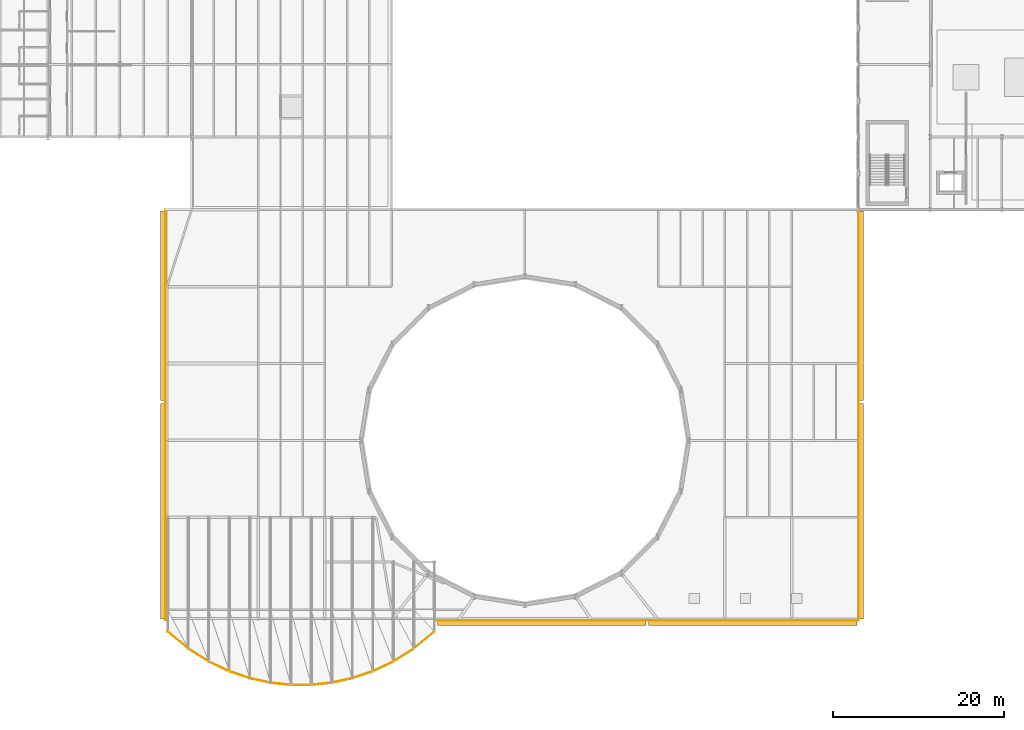
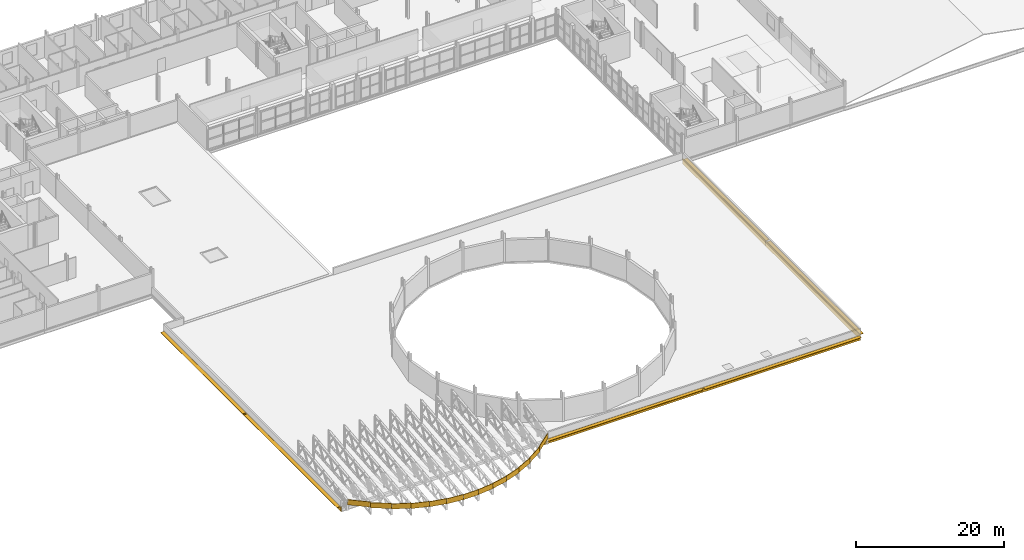
# One storey, part 51 of 58: 19 coverings, 6 shading devices.
"""IFC4 building model written with IfcOpenShell, lengths in metres."""

import ifcopenshell
import ifcopenshell.guid

model = None  # the IFC model being written
_history = None  # IfcOwnerHistory: only IFC2X3 demands one
_inside = {}  # id of a spatial element -> (the spatial element, [elements in it])
_under = {}  # id of a project, library or spatial element -> (it, [spatial elements below it])
_declared = {}  # id of a project -> (the project, [libraries it declares])
_typed = {}  # id of a type object -> (the type object, [elements of that type])
_made_of = {}  # id of a material, layer set ... -> (it, [elements and type objects made of it])


def new_model(schema):
    """Start an empty IFC model of exactly this schema.

    Asked for "IFC4X3", IfcOpenShell would pick the latest addendum, in which some entities
    have other attributes; the version numbers below select the first issue.
    IFC2X3 requires an IfcOwnerHistory on every rooted entity: one is made here for all.
    """
    global model, _history
    if schema == "IFC4X3":
        model = ifcopenshell.file(schema_version=(4, 3, 0, 0))
    else:
        model = ifcopenshell.file(schema=schema)
    _inside.clear()
    _under.clear()
    _declared.clear()
    _typed.clear()
    _made_of.clear()
    _history = None
    if model.schema == "IFC2X3":
        org = make("IfcOrganization", Name="unknown")
        user = make(
            "IfcPersonAndOrganization",
            ThePerson=make("IfcPerson", FamilyName="unknown"),
            TheOrganization=org,
        )
        app = make(
            "IfcApplication",
            ApplicationDeveloper=org,
            Version="unknown",
            ApplicationFullName="unknown",
            ApplicationIdentifier="unknown",
        )
        _history = make(
            "IfcOwnerHistory",
            OwningUser=user,
            OwningApplication=app,
            ChangeAction="ADDED",
            CreationDate=0,
        )
    return model


def make(cls, **values):
    """One entity of the class cls with the attributes given. An attribute that is None is left unset."""
    return model.create_entity(
        cls, **{name: value for name, value in values.items() if value is not None}
    )


def rooted(cls, **values):
    """An entity with a GlobalId (a new one), such as an element, a storey or a relation."""
    return make(cls, GlobalId=ifcopenshell.guid.new(), OwnerHistory=_history, **values)


def si_unit(unit_type, name, prefix=None):
    """IfcSIUnit, for example si_unit("LENGTHUNIT", "METRE", prefix="MILLI")."""
    return make("IfcSIUnit", UnitType=unit_type, Prefix=prefix, Name=name)


def assignment(units):
    """IfcUnitAssignment: the units of a project."""
    return None if units is None else make("IfcUnitAssignment", Units=units)


def point(xyz):
    """IfcCartesianPoint."""
    return None if xyz is None else make("IfcCartesianPoint", Coordinates=xyz)


def direction(xyz):
    """IfcDirection."""
    return None if xyz is None else make("IfcDirection", DirectionRatios=xyz)


def frame(location, z_axis=None, x_axis=None):
    """IfcAxis2Placement3D, a coordinate frame: its origin and axes. An axis left out is left unset."""
    return make(
        "IfcAxis2Placement3D",
        Location=point(location),
        Axis=direction(z_axis),
        RefDirection=direction(x_axis),
    )


def frame_2d(location, x_axis=None):
    """IfcAxis2Placement2D, a coordinate frame in the plane: its origin and x axis."""
    return make(
        "IfcAxis2Placement2D", Location=point(location), RefDirection=direction(x_axis)
    )


def origin():
    """The frame at (0, 0, 0) with its axes left unset."""
    return frame((0.0, 0.0, 0.0))


def origin_2d():
    """The frame at (0, 0) in the plane with its x axis left unset."""
    return frame_2d((0.0, 0.0))


def place(relative_to, where):
    """IfcLocalPlacement: puts the frame where relative to a parent placement (None: the world)."""
    return make(
        "IfcLocalPlacement", PlacementRelTo=relative_to, RelativePlacement=where
    )


def context(
    kind, dimensions, precision=None, world=None, true_north=None, identifier=None
):
    """IfcGeometricRepresentationContext, for example the 3D "Model" context."""
    return make(
        "IfcGeometricRepresentationContext",
        ContextIdentifier=identifier,
        ContextType=kind,
        CoordinateSpaceDimension=dimensions,
        Precision=precision,
        WorldCoordinateSystem=world,
        TrueNorth=true_north,
    )


def subcontext(parent, identifier, kind, view, scale=None):
    """IfcGeometricRepresentationSubContext, for example "Body" below "Model"."""
    return make(
        "IfcGeometricRepresentationSubContext",
        ContextIdentifier=identifier,
        ContextType=kind,
        ParentContext=parent,
        TargetScale=scale,
        TargetView=view,
    )


def project(units=None, contexts=None):
    """IfcProject with its units and contexts."""
    return rooted(
        "IfcProject",
        Name="project",
        RepresentationContexts=contexts,
        UnitsInContext=assignment(units),
    )


def spatial(cls, under=None, at=None, **own):
    """A site, building, storey or space (cls), placed at a placement, below another one or the project."""
    s = rooted(cls, ObjectPlacement=at, **own)
    if under is not None:
        _under.setdefault(under.id(), (under, []))[1].append(s)
    return s


def profile(cls, at=None, kind="AREA", **sizes):
    """A parametric profile (cls). Its sizes go by their IFC names, for example OverallWidth=200.0."""
    return make(cls, ProfileType=kind, Position=at, **sizes)


def rectangle(**sizes):
    """IfcRectangleProfileDef."""
    return profile("IfcRectangleProfileDef", **sizes)


def extrude(swept, where, along, depth):
    """IfcExtrudedAreaSolid: the profile swept, set in the frame where, extruded along a direction by depth."""
    return make(
        "IfcExtrudedAreaSolid",
        SweptArea=swept,
        Position=where,
        ExtrudedDirection=direction(along),
        Depth=depth,
    )


def shape(context_of_items, identifier, shape_type, items):
    """IfcShapeRepresentation: the items that make up one representation, for example the "Body"."""
    return make(
        "IfcShapeRepresentation",
        ContextOfItems=context_of_items,
        RepresentationIdentifier=identifier,
        RepresentationType=shape_type,
        Items=items,
    )


def material(Name=None, Category=None):
    """IfcMaterial."""
    return make("IfcMaterial", Name=Name, Category=Category)


def layer(
    of_material, thickness, ventilated=None, Name=None, Category=None, Priority=None
):
    """IfcMaterialLayer: one layer of a wall or slab, of a material (None: an air gap)."""
    return make(
        "IfcMaterialLayer",
        Material=of_material,
        LayerThickness=thickness,
        IsVentilated=ventilated,
        Name=Name,
        Category=Category,
        Priority=Priority,
    )


def layer_set(layers, Name=None):
    """IfcMaterialLayerSet."""
    return make("IfcMaterialLayerSet", MaterialLayers=layers, LayerSetName=Name)


def made_of(thing, what):
    """Note that an element or type object is made of a material, layer set ...; save() writes the relation."""
    if what is not None:
        _made_of.setdefault(what.id(), (what, []))[1].append(thing)
    return thing


def type_object(cls, material=None, **own):
    """A type object (cls), such as IfcWallType, which elements share."""
    return made_of(rooted(cls, **own), material)


def element(
    cls,
    number,
    at=None,
    inside=None,
    cuts=None,
    type_object=None,
    material=None,
    context=None,
    identifier="Body",
    shape_type=None,
    held_by="IfcProductDefinitionShape",
    body=None,
    shapes=None,
    **own,
):
    """One element of the class cls, such as IfcWall. Its Tag is "e" and its number.

    at: its placement. inside: the storey or other place that contains it. cuts: it is an
    opening in that element (IfcRelVoidsElement). A single representation is given by context,
    identifier, shape_type and body (its items); several are given by shapes. held_by: the class
    of the entity that holds the representations. save() writes the other relations.
    """
    e = rooted(cls, Tag="e%d" % number, ObjectPlacement=at, **own)
    if body is not None:
        shapes = [shape(context, identifier, shape_type, body)]
    if shapes is not None:
        e.Representation = make(held_by, Representations=shapes)
    if inside is not None:
        _inside.setdefault(inside.id(), (inside, []))[1].append(e)
    if cuts is not None:
        rooted(
            "IfcRelVoidsElement", RelatingBuildingElement=cuts, RelatedOpeningElement=e
        )
    if type_object is not None:
        _typed.setdefault(type_object.id(), (type_object, []))[1].append(e)
    return made_of(e, material)


def aggregate(whole, parts):
    """IfcRelAggregates: a whole, such as a stair, and the parts it consists of."""
    return rooted("IfcRelAggregates", RelatingObject=whole, RelatedObjects=parts)


def save(model, path):
    """Write the relations noted so far, then the file.

    IfcRelAggregates (storeys below a building ...), IfcRelContainedInSpatialStructure (elements
    in a storey), IfcRelDefinesByType, IfcRelAssociatesMaterial and IfcRelDeclares: one each for
    every whole, place, type object, material and project.
    """
    for whole, parts in _under.values():
        aggregate(whole, parts)
    for where, things in _inside.values():
        rooted(
            "IfcRelContainedInSpatialStructure",
            RelatedElements=things,
            RelatingStructure=where,
        )
    for kind, things in _typed.values():
        rooted("IfcRelDefinesByType", RelatedObjects=things, RelatingType=kind)
    for what, things in _made_of.values():
        rooted("IfcRelAssociatesMaterial", RelatedObjects=things, RelatingMaterial=what)
    for by, libraries in _declared.values():
        rooted("IfcRelDeclares", RelatingContext=by, RelatedDefinitions=libraries)
    model.write(path)


model = new_model("IFC4")

# Units and contexts
model_context = context("Model", 3, precision=1e-05, world=origin(), true_north=direction((0.0, 1.0)))
body_context = subcontext(model_context, "Body", "Model", "MODEL_VIEW")
ifc_project = project(units=[si_unit("LENGTHUNIT", "METRE"), si_unit("AREAUNIT", "SQUARE_METRE"), si_unit("VOLUMEUNIT", "CUBIC_METRE"), si_unit("PLANEANGLEUNIT", "RADIAN"), si_unit("MASSUNIT", "GRAM", prefix="KILO")], contexts=[model_context])

# Site, building, storey
site_placement = place(None, origin())
site = spatial("IfcSite", under=ifc_project, at=site_placement, CompositionType="ELEMENT")
building_placement = place(site_placement, origin())
building = spatial("IfcBuilding", under=site, at=building_placement, Name="Sefraquen Railside Congress Hotel", CompositionType="ELEMENT")
storey_placement = place(building_placement, frame((0.0, 0.0, 16.199951171875)))
storey = spatial("IfcBuildingStorey", under=building, at=storey_placement, Name="L03", CompositionType="ELEMENT", Elevation=16.199951171875)

# Coverings
ifc_material = material(Name="Patinated architectural bronze", Category="metal")
ifc_layer_1 = layer(ifc_material, 0.080078125)
ifc_layer_set_1 = layer_set([ifc_layer_1], Name="Patinated architectural bronze")
covering_type = type_object("IfcCoveringType", Name="TCV-CLAD-01", PredefinedType="CLADDING", material=ifc_layer_set_1)
covering_1_placement = place(storey_placement, frame((23.60009765625, 3.642578125, 1.118408203125), z_axis=(0.0, 0.0, 1.0), x_axis=(0.767120368314, -0.641503188237, 0.0)))
element("IfcCovering", 1, at=covering_1_placement, inside=storey, type_object=covering_type, Name="Sweeping arrival canopy bronze fascia band 01", PredefinedType="CLADDING", context=body_context, shape_type="SweptSolid", body=[
    extrude(rectangle(XDim=3.168701171875, YDim=0.080078125, at=origin_2d()), origin(), (0.0, 0.0, 1.0), 0.85009765625),
])
covering_2_placement = place(storey_placement, frame((26.0, 1.8798828125, 0.9775390625), z_axis=(0.0, 0.0, 1.0), x_axis=(0.845140570763, -0.53454411946, 0.0)))
element("IfcCovering", 2, at=covering_2_placement, inside=storey, type_object=covering_type, Name="Sweeping arrival canopy bronze fascia band 02", PredefinedType="CLADDING", context=body_context, shape_type="SweptSolid", body=[
    extrude(rectangle(XDim=2.8798828125, YDim=0.080078125, at=origin_2d()), origin(), (0.0, 0.0, 1.0), 0.85009765625),
])
covering_3_placement = place(storey_placement, frame((28.39990234375, 0.553955078125, 0.87158203125), z_axis=(0.0, 0.0, 1.0), x_axis=(0.904149667723, -0.427215845161, 0.0)))
element("IfcCovering", 3, at=covering_3_placement, inside=storey, type_object=covering_type, Name="Sweeping arrival canopy bronze fascia band 03", PredefinedType="CLADDING", context=body_context, shape_type="SweptSolid", body=[
    extrude(rectangle(XDim=2.6943359375, YDim=0.080078125, at=origin_2d()), origin(), (0.0, 0.0, 1.0), 0.85009765625),
])
covering_4_placement = place(storey_placement, frame((30.800048828125, -0.4189453125, 0.79345703125), z_axis=(0.0, 0.0, 1.0), x_axis=(0.947255034531, -0.320480731956, 0.0)))
element("IfcCovering", 4, at=covering_4_placement, inside=storey, type_object=covering_type, Name="Sweeping arrival canopy bronze fascia band 04", PredefinedType="CLADDING", context=body_context, shape_type="SweptSolid", body=[
    extrude(rectangle(XDim=2.573486328125, YDim=0.080078125, at=origin_2d()), origin(), (0.0, 0.0, 1.0), 0.85009765625),
])
covering_5_placement = place(storey_placement, frame((33.199951171875, -1.08740234375, 0.739990234375), z_axis=(0.0, 0.0, 1.0), x_axis=(0.976900342918, -0.213695390699, 0.0)))
element("IfcCovering", 5, at=covering_5_placement, inside=storey, type_object=covering_type, Name="Sweeping arrival canopy bronze fascia band 05", PredefinedType="CLADDING", context=body_context, shape_type="SweptSolid", body=[
    extrude(rectangle(XDim=2.496826171875, YDim=0.080078125, at=origin_2d()), origin(), (0.0, 0.0, 1.0), 0.85009765625),
])
covering_6_placement = place(storey_placement, frame((35.60009765625, -1.47900390625, 0.708984375), z_axis=(0.0, 0.0, 1.0), x_axis=(0.994270980178, -0.106888811276, 0.0)))
element("IfcCovering", 6, at=covering_6_placement, inside=storey, type_object=covering_type, Name="Sweeping arrival canopy bronze fascia band 06", PredefinedType="CLADDING", context=body_context, shape_type="SweptSolid", body=[
    extrude(rectangle(XDim=2.453857421875, YDim=0.080078125, at=origin_2d()), origin(), (0.0, 0.0, 1.0), 0.85009765625),
])
covering_7_placement = place(storey_placement, frame((38.0, -1.60791015625, 0.698974609375), z_axis=(0.0, 0.0, 1.0), x_axis=(1.0, 0.0, 0.0)))
element("IfcCovering", 7, at=covering_7_placement, inside=storey, type_object=covering_type, Name="Sweeping arrival canopy bronze fascia band 07", PredefinedType="CLADDING", context=body_context, shape_type="SweptSolid", body=[
    extrude(rectangle(XDim=2.43994140625, YDim=0.080078125, at=origin_2d()), origin(), (0.0, 0.0, 1.0), 0.85009765625),
])
covering_8_placement = place(storey_placement, frame((40.39990234375, -1.47900390625, 0.708984375), z_axis=(0.0, 0.0, 1.0), x_axis=(0.994270980178, 0.106888811276, 0.0)))
element("IfcCovering", 8, at=covering_8_placement, inside=storey, type_object=covering_type, Name="Sweeping arrival canopy bronze fascia band 08", PredefinedType="CLADDING", context=body_context, shape_type="SweptSolid", body=[
    extrude(rectangle(XDim=2.453857421875, YDim=0.080078125, at=origin_2d()), origin(), (0.0, 0.0, 1.0), 0.85009765625),
])
covering_9_placement = place(storey_placement, frame((42.800048828125, -1.08740234375, 0.739990234375), z_axis=(0.0, 0.0, 1.0), x_axis=(0.976900342918, 0.213695390699, 0.0)))
element("IfcCovering", 9, at=covering_9_placement, inside=storey, type_object=covering_type, Name="Sweeping arrival canopy bronze fascia band 09", PredefinedType="CLADDING", context=body_context, shape_type="SweptSolid", body=[
    extrude(rectangle(XDim=2.496826171875, YDim=0.080078125, at=origin_2d()), origin(), (0.0, 0.0, 1.0), 0.85009765625),
])
covering_10_placement = place(storey_placement, frame((45.199951171875, -0.4189453125, 0.79345703125), z_axis=(0.0, 0.0, 1.0), x_axis=(0.947255034531, 0.320480731956, 0.0)))
element("IfcCovering", 10, at=covering_10_placement, inside=storey, type_object=covering_type, Name="Sweeping arrival canopy bronze fascia band 10", PredefinedType="CLADDING", context=body_context, shape_type="SweptSolid", body=[
    extrude(rectangle(XDim=2.573486328125, YDim=0.080078125, at=origin_2d()), origin(), (0.0, 0.0, 1.0), 0.85009765625),
])
covering_11_placement = place(storey_placement, frame((47.60009765625, 0.553955078125, 0.87158203125), z_axis=(0.0, 0.0, 1.0), x_axis=(0.904149667723, 0.427215845161, 0.0)))
element("IfcCovering", 11, at=covering_11_placement, inside=storey, type_object=covering_type, Name="Sweeping arrival canopy bronze fascia band 11", PredefinedType="CLADDING", context=body_context, shape_type="SweptSolid", body=[
    extrude(rectangle(XDim=2.6943359375, YDim=0.080078125, at=origin_2d()), origin(), (0.0, 0.0, 1.0), 0.85009765625),
])
covering_12_placement = place(storey_placement, frame((50.0, 1.8798828125, 0.9775390625), z_axis=(0.0, 0.0, 1.0), x_axis=(0.845140570763, 0.53454411946, 0.0)))
element("IfcCovering", 12, at=covering_12_placement, inside=storey, type_object=covering_type, Name="Sweeping arrival canopy bronze fascia band 12", PredefinedType="CLADDING", context=body_context, shape_type="SweptSolid", body=[
    extrude(rectangle(XDim=2.8798828125, YDim=0.080078125, at=origin_2d()), origin(), (0.0, 0.0, 1.0), 0.85009765625),
])
covering_13_placement = place(storey_placement, frame((52.39990234375, 3.642578125, 1.118408203125), z_axis=(0.0, 0.0, 1.0), x_axis=(0.767120368314, 0.641503188237, 0.0)))
element("IfcCovering", 13, at=covering_13_placement, inside=storey, type_object=covering_type, Name="Sweeping arrival canopy bronze fascia band 13", PredefinedType="CLADDING", context=body_context, shape_type="SweptSolid", body=[
    extrude(rectangle(XDim=3.168701171875, YDim=0.080078125, at=origin_2d()), origin(), (0.0, 0.0, 1.0), 0.85009765625),
])
for number, where, z_axis, x_axis, name in (
    (14, (66.14990234375, 5.948486328125, -0.77490234375), (0.0, 0.0, 1.0), (1.0, 0.0, 0.0), "Congress horizontal bronze cladding band L03-S1"),
    (15, (90.85009765625, 5.948486328125, -0.77490234375), (0.0, 0.0, 1.0), (1.0, 0.0, 0.0), "Congress horizontal bronze cladding band L03-S2"),
):
    element("IfcCovering", number, at=place(storey_placement, frame(where, z_axis=z_axis, x_axis=x_axis)), inside=storey, type_object=covering_type, Name=name, PredefinedType="CLADDING", context=body_context, shape_type="SweptSolid", body=[
        extrude(rectangle(XDim=24.699951171875, YDim=0.080078125, at=origin_2d()), origin(), (0.0, 0.0, 1.0), 0.85009765625),
    ])
for number, where, z_axis, x_axis, name in (
    (16, (22.148681640625, 18.7392578125, -0.77490234375), (0.0, 0.0, 1.0), (1.0, 0.0, 0.0), "Congress horizontal bronze cladding band L03-W1"),
    (17, (103.22998046875, 18.7392578125, -0.77490234375), (0.0, 0.0, 1.0), (1.0, 0.0, 0.0), "Congress horizontal bronze cladding band L03-E1"),
):
    element("IfcCovering", number, at=place(storey_placement, frame(where, z_axis=z_axis, x_axis=x_axis)), inside=storey, type_object=covering_type, Name=name, PredefinedType="CLADDING", context=body_context, shape_type="SweptSolid", body=[
        extrude(rectangle(XDim=0.080078125, YDim=25.521484375, at=origin_2d()), origin(), (0.0, 0.0, 1.0), 0.85009765625),
    ])
for number, where, z_axis, x_axis, name in (
    (18, (22.148681640625, 42.75, -0.77490234375), (0.0, 0.0, 1.0), (1.0, 0.0, 0.0), "Congress horizontal bronze cladding band L03-W2"),
    (19, (103.22998046875, 42.75, -0.77490234375), (0.0, 0.0, 1.0), (1.0, 0.0, 0.0), "Congress horizontal bronze cladding band L03-E2"),
):
    element("IfcCovering", number, at=place(storey_placement, frame(where, z_axis=z_axis, x_axis=x_axis)), inside=storey, type_object=covering_type, Name=name, PredefinedType="CLADDING", context=body_context, shape_type="SweptSolid", body=[
        extrude(rectangle(XDim=0.080078125, YDim=22.5, at=origin_2d()), origin(), (0.0, 0.0, 1.0), 0.85009765625),
    ])

# Shading devices
ifc_layer_2 = layer(ifc_material, 0.06005859375)
ifc_layer_set_2 = layer_set([ifc_layer_2], Name="Patinated architectural bronze")
shading_device_type = type_object("IfcShadingDeviceType", Name="TSH-BS-01", PredefinedType="USERDEFINED", material=ifc_layer_set_2)
for number, where, z_axis, x_axis, name in (
    (20, (66.14990234375, 5.648681640625, -0.030029296875), (0.0, 0.0, 1.0), (1.0, 0.0, 0.0), "Congress horizontal brise-soleil L03-S1"),
    (21, (90.85009765625, 5.648681640625, -0.030029296875), (0.0, 0.0, 1.0), (1.0, 0.0, 0.0), "Congress horizontal brise-soleil L03-S2"),
):
    element("IfcShadingDevice", number, at=place(storey_placement, frame(where, z_axis=z_axis, x_axis=x_axis)), inside=storey, type_object=shading_device_type, Name=name, ObjectType="BRISE SOLEIL", PredefinedType="USERDEFINED", context=body_context, shape_type="SweptSolid", body=[
        extrude(rectangle(XDim=24.39990234375, YDim=0.550048828125, at=origin_2d()), origin(), (0.0, 0.0, 1.0), 0.06005859375),
    ])
for number, where, z_axis, x_axis, name in (
    (22, (21.8486328125, 18.7392578125, -0.030029296875), (0.0, 0.0, 1.0), (1.0, 0.0, 0.0), "Congress west sun-shading louvre L03-W1"),
    (23, (103.530029296875, 18.7392578125, -0.030029296875), (0.0, 0.0, 1.0), (1.0, 0.0, 0.0), "Congress east horizontal brise-soleil L03-E1"),
):
    element("IfcShadingDevice", number, at=place(storey_placement, frame(where, z_axis=z_axis, x_axis=x_axis)), inside=storey, type_object=shading_device_type, Name=name, ObjectType="BRISE SOLEIL", PredefinedType="USERDEFINED", context=body_context, shape_type="SweptSolid", body=[
        extrude(rectangle(XDim=0.550048828125, YDim=25.221435546875, at=origin_2d()), origin(), (0.0, 0.0, 1.0), 0.06005859375),
    ])
for number, where, z_axis, x_axis, name in (
    (24, (21.8486328125, 42.75, -0.030029296875), (0.0, 0.0, 1.0), (1.0, 0.0, 0.0), "Congress west sun-shading louvre L03-W2"),
    (25, (103.530029296875, 42.75, -0.030029296875), (0.0, 0.0, 1.0), (1.0, 0.0, 0.0), "Congress east horizontal brise-soleil L03-E2"),
):
    element("IfcShadingDevice", number, at=place(storey_placement, frame(where, z_axis=z_axis, x_axis=x_axis)), inside=storey, type_object=shading_device_type, Name=name, ObjectType="BRISE SOLEIL", PredefinedType="USERDEFINED", context=body_context, shape_type="SweptSolid", body=[
        extrude(rectangle(XDim=0.550048828125, YDim=22.199951171875, at=origin_2d()), origin(), (0.0, 0.0, 1.0), 0.06005859375),
    ])

save(model, "model.ifc")
